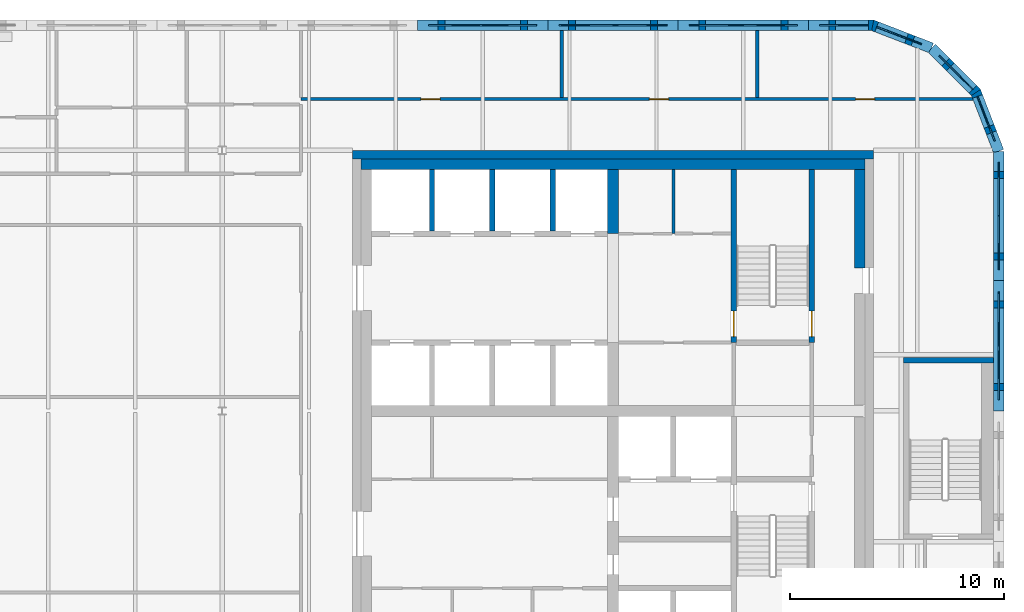
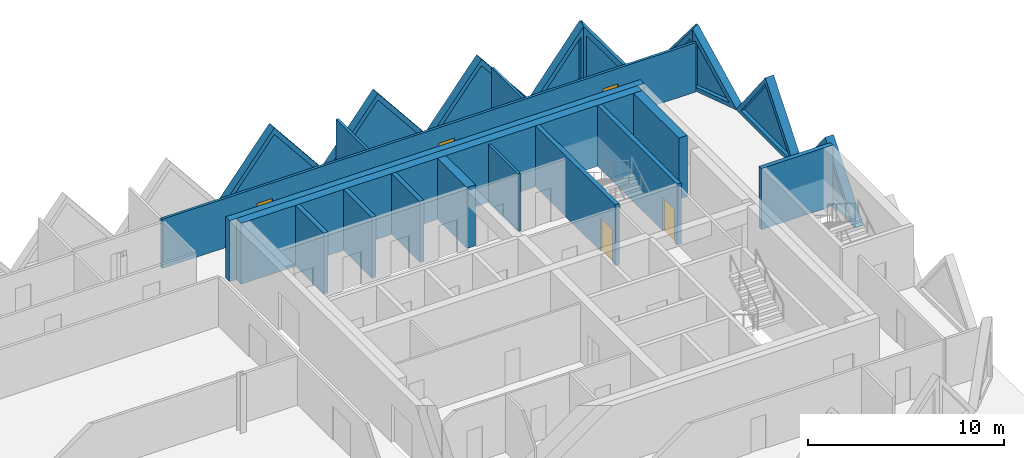
# One storey, part 9 of 12: 23 walls, 9 plates, 5 doors, 14 openings.
"""IFC4 building model written with IfcOpenShell, lengths in metres."""

from ifc_helpers import new_model, si_unit, direction, frame, frame_2d, origin, place, context, subcontext, project, spatial, polyline, rectangle, outline, extrude, faceted_brep, source, transform, mapped, material, layer, layer_set, type_object, element, fill, save


model = new_model("IFC4")

# Units and contexts
model_context = context("Model", 3, precision=1e-05, world=origin(), true_north=direction((0.0, 1.0)))
body_context = subcontext(model_context, "Body", "Model", "MODEL_VIEW")
ifc_project = project(units=[si_unit("LENGTHUNIT", "METRE"), si_unit("AREAUNIT", "SQUARE_METRE"), si_unit("VOLUMEUNIT", "CUBIC_METRE"), si_unit("PLANEANGLEUNIT", "RADIAN"), si_unit("MASSUNIT", "GRAM", prefix="KILO")], contexts=[model_context])

# Site, building, storey
site_placement = place(None, origin())
site = spatial("IfcSite", under=ifc_project, at=site_placement, CompositionType="ELEMENT")
building_placement = place(site_placement, origin())
building = spatial("IfcBuilding", under=site, at=building_placement, Name="Tessera Gate Towers", CompositionType="ELEMENT")
storey_placement = place(building_placement, frame((0.0, 0.0, 236.89990234375)))
storey = spatial("IfcBuildingStorey", under=building, at=storey_placement, Name="L59", CompositionType="ELEMENT", Elevation=236.89990234375)

# Wall, opening, door
ifc_material_1 = material(Name="Concrete C40/50", Category="concrete")
ifc_layer_1 = layer(ifc_material_1, 0.25)
ifc_layer_set_1 = layer_set([ifc_layer_1], Name="CORE ENCLOSURE WALL 250")
wall_type_1 = type_object("IfcWallType", Name="CORE ENCLOSURE WALL 250", PredefinedType="SOLIDWALL", material=ifc_layer_set_1)
wall_1_placement = place(storey_placement, frame((48.35009765625, 47.89990234375, 0.0), z_axis=(0.0, 0.0, 1.0), x_axis=(0.0, -1.0, 0.0)))
wall_1 = element("IfcWall", 1, at=wall_1_placement, inside=storey, type_object=wall_type_1, Name="L59 shaft and stair enclosure wall", PredefinedType="SOLIDWALL", context=body_context, shape_type="SweptSolid", body=[
    extrude(rectangle(XDim=8.099853515625, YDim=0.25, at=frame_2d((4.0498046875, 0.0))), origin(), (0.0, 0.0, 1.0), 3.800048828125),
])
shared_shape_1 = source(origin(), body_context, "Body", "SweptSolid", [
    extrude(rectangle(XDim=1.199951171875, YDim=2.10009765625, at=frame_2d((0.60009765625, 1.050048828125))), frame((0.0, 0.135009765625, 0.0), z_axis=(0.0, -1.0, 0.0), x_axis=(1.0, 0.0, 0.0)), (0.0, 0.0, 1.0), 0.27001953125),
])
opening_1_placement = place(wall_1_placement, frame((6.625, 0.0, 0.0)))
opening_1 = element("IfcOpeningElement", 2, at=opening_1_placement, cuts=wall_1, Name="Opening SD-ST2-1", PredefinedType="OPENING", context=body_context, shape_type="MappedRepresentation", body=[
    mapped(shared_shape_1, transform((0.0, 0.0, 0.0), scale=1.0)),
])
ifc_material_2 = material(Name="Hollow steel fire door", Category="steel")
door_type_1 = type_object("IfcDoorType", Name="CORE DOOR SD 1200x2100", OperationType="NOTDEFINED", PredefinedType="DOOR", material=ifc_material_2)
shared_shape_2 = source(origin(), body_context, "Body", "SweptSolid", [
    extrude(rectangle(XDim=1.199951171875, YDim=2.10009765625, at=frame_2d((0.60009765625, 1.050048828125))), frame((0.0, 0.02490234375, 0.0), z_axis=(0.0, -1.0, 0.0), x_axis=(1.0, 0.0, 0.0)), (0.0, 0.0, 1.0), 0.050048828125),
])
door_1_placement = place(opening_1_placement, origin())
door_1 = element("IfcDoor", 3, at=door_1_placement, inside=storey, type_object=door_type_1, Name="Stair door", OperationType="SINGLE_SWING_RIGHT", OverallHeight=2.10009765625, OverallWidth=1.199951171875, PredefinedType="DOOR", context=body_context, shape_type="MappedRepresentation", body=[
    mapped(shared_shape_2, transform((0.0, 0.0, 0.0), scale=1.0)),
])
fill(opening_1, door_1)

wall_2_placement = place(storey_placement, frame((52.0, 39.800048828125, 0.0), z_axis=(0.0, 0.0, 1.0), x_axis=(0.0, 1.0, 0.0)))
wall_2 = element("IfcWall", 4, at=wall_2_placement, inside=storey, type_object=wall_type_1, Name="L59 shaft and stair enclosure wall", PredefinedType="SOLIDWALL", context=body_context, shape_type="SweptSolid", body=[
    extrude(rectangle(XDim=8.099853515625, YDim=0.25, at=frame_2d((4.0498046875, 0.0))), origin(), (0.0, 0.0, 1.0), 3.800048828125),
])
opening_2_placement = place(wall_2_placement, frame((0.27490234375, 0.0, 0.0)))
opening_2 = element("IfcOpeningElement", 5, at=opening_2_placement, cuts=wall_2, Name="Opening SD-ST2-2", PredefinedType="OPENING", context=body_context, shape_type="MappedRepresentation", body=[
    mapped(shared_shape_1, transform((0.0, 0.0, 0.0), scale=1.0)),
])
door_2_placement = place(opening_2_placement, origin())
door_2 = element("IfcDoor", 6, at=door_2_placement, inside=storey, type_object=door_type_1, Name="Stair door", OperationType="SINGLE_SWING_LEFT", OverallHeight=2.10009765625, OverallWidth=1.199951171875, PredefinedType="DOOR", context=body_context, shape_type="MappedRepresentation", body=[
    mapped(shared_shape_2, transform((0.0, 0.0, 0.0), scale=1.0)),
])
fill(opening_2, door_2)

# Walls
for number, where, z_axis, x_axis, name in (
    (7, (34.22509765625, 45.02490234375, 0.0), (0.0, 0.0, 1.0), (0.0, 1.0, 0.0), "L59 shaft and stair enclosure wall"),
    (8, (37.050048828125, 45.02490234375, 0.0), (0.0, 0.0, 1.0), (0.0, 1.0, 0.0), "L59 shaft and stair enclosure wall"),
    (9, (39.875, 45.02490234375, 0.0), (0.0, 0.0, 1.0), (0.0, 1.0, 0.0), "L59 shaft and stair enclosure wall"),
):
    element("IfcWall", number, at=place(storey_placement, frame(where, z_axis=z_axis, x_axis=x_axis)), inside=storey, type_object=wall_type_1, Name=name, PredefinedType="SOLIDWALL", context=body_context, shape_type="SweptSolid", body=[
        extrude(rectangle(XDim=2.875, YDim=0.25, at=frame_2d((1.4375, 0.0))), origin(), (0.0, 0.0, 1.0), 3.800048828125),
    ])
wall_3_placement = place(storey_placement, frame((56.300048828125, 38.97509765625, 0.0), z_axis=(0.0, 0.0, 1.0), x_axis=(1.0, 0.0, 0.0)))
element("IfcWall", 10, at=wall_3_placement, inside=storey, type_object=wall_type_1, Name="L59 ST5 enclosure wall", PredefinedType="SOLIDWALL", context=body_context, shape_type="SweptSolid", body=[
    extrude(rectangle(XDim=4.199951171875, YDim=0.25, at=frame_2d((2.10009765625, 0.0))), origin(), (0.0, 0.0, 1.0), 3.800048828125),
])
ifc_material_3 = material(Name="Concrete C40/50", Category="concrete")
ifc_layer_2 = layer(ifc_material_3, 0.39990234375)
ifc_layer_set_2 = layer_set([ifc_layer_2], Name="CORE SHEAR WALL 400 C40/50")
wall_type_2 = type_object("IfcWallType", Name="CORE SHEAR WALL 400 C40/50", PredefinedType="SHEAR", material=ifc_layer_set_2)
wall_4_placement = place(storey_placement, frame((30.5, 48.60009765625, 0.0), z_axis=(0.0, 0.0, 1.0), x_axis=(1.0, 0.0, 0.0)))
element("IfcWall", 11, at=wall_4_placement, inside=storey, type_object=wall_type_2, Name="Core wall N L59", PredefinedType="SHEAR", context=body_context, shape_type="SweptSolid", body=[
    extrude(rectangle(XDim=24.39990234375, YDim=0.39990234375, at=frame_2d((12.199951171875, 0.0))), origin(), (0.0, 0.0, 1.0), 3.800048828125),
])
ifc_material_4 = material(Name="Concrete C40/50", Category="concrete")
ifc_layer_3 = layer(ifc_material_4, 0.5)
ifc_layer_set_3 = layer_set([ifc_layer_3], Name="CORE SPINE WALL 500 C40/50")
wall_type_3 = type_object("IfcWallType", Name="CORE SPINE WALL 500 C40/50", PredefinedType="SHEAR", material=ifc_layer_set_3)
wall_5_placement = place(storey_placement, frame((42.699951171875, 44.89990234375, 0.0), z_axis=(0.0, 0.0, 1.0), x_axis=(0.0, 1.0, 0.0)))
element("IfcWall", 12, at=wall_5_placement, inside=storey, type_object=wall_type_3, Name="Core wall spine L59", PredefinedType="SHEAR", context=body_context, shape_type="SweptSolid", body=[
    extrude(rectangle(XDim=3.0, YDim=0.5, at=frame_2d((1.5, 0.0))), origin(), (0.0, 0.0, 1.0), 3.800048828125),
])
ifc_material_5 = material(Name="Concrete C40/50", Category="concrete")
ifc_layer_4 = layer(ifc_material_5, 0.5)
ifc_layer_set_4 = layer_set([ifc_layer_4], Name="CORE WALL THICKENING 500")
wall_type_4 = type_object("IfcWallType", Name="CORE WALL THICKENING 500", PredefinedType="SOLIDWALL", material=ifc_layer_set_4)
wall_6_placement = place(storey_placement, frame((30.89990234375, 48.14990234375, 0.0), z_axis=(0.0, 0.0, 1.0), x_axis=(1.0, 0.0, 0.0)))
element("IfcWall", 13, at=wall_6_placement, inside=storey, type_object=wall_type_4, Name="Core wall thickening N L59", PredefinedType="SOLIDWALL", context=body_context, shape_type="SweptSolid", body=[
    extrude(rectangle(XDim=23.60009765625, YDim=0.5, at=frame_2d((11.800048828125, 0.0))), origin(), (0.0, 0.0, 1.0), 3.800048828125),
])
wall_7_placement = place(storey_placement, frame((54.25, 43.300048828125, 0.0), z_axis=(0.0, 0.0, 1.0), x_axis=(0.0, 1.0, 0.0)))
element("IfcWall", 14, at=wall_7_placement, inside=storey, type_object=wall_type_4, Name="Core wall thickening E L59", PredefinedType="SOLIDWALL", context=body_context, shape_type="SweptSolid", body=[
    extrude(rectangle(XDim=4.599853515625, YDim=0.5, at=frame_2d((2.2998046875, 0.0))), origin(), (0.0, 0.0, 1.0), 3.800048828125),
])

# Wall, openings, doors
ifc_material_6 = material(Name="Gypsum board on steel studs, mineral wool", Category="steel")
ifc_layer_5 = layer(ifc_material_6, 0.14990234375)
ifc_layer_set_5 = layer_set([ifc_layer_5], Name="CORRIDOR WALL 150")
wall_type_5 = type_object("IfcWallType", Name="CORRIDOR WALL 150", PredefinedType="PARTITIONING", material=ifc_layer_set_5)
wall_8_placement = place(storey_placement, frame((28.10009765625, 51.199951171875, 0.0), z_axis=(0.0, 0.0, 1.0), x_axis=(1.0, 0.0, 0.0)))
wall_8 = element("IfcWall", 15, at=wall_8_placement, inside=storey, type_object=wall_type_5, Name="T1-L59-PW-031", PredefinedType="PARTITIONING", context=body_context, shape_type="SweptSolid", body=[
    extrude(rectangle(XDim=31.438232421875, YDim=0.14990234375, at=frame_2d((15.71923828125, 0.0))), origin(), (0.0, 0.0, 1.0), 3.067138671875),
])
shared_shape_3 = source(origin(), body_context, "Body", "SweptSolid", [
    extrude(rectangle(XDim=0.89990234375, YDim=2.10009765625, at=frame_2d((0.449951171875, 1.050048828125))), frame((0.0, 0.0849609375, 0.0), z_axis=(0.0, -1.0, 0.0), x_axis=(1.0, 0.0, 0.0)), (0.0, 0.0, 1.0), 0.169921875),
])
opening_3_placement = place(wall_8_placement, frame((16.301025390625, 0.0, 0.0)))
opening_3 = element("IfcOpeningElement", 16, at=opening_3_placement, cuts=wall_8, Name="Opening D890FD60-A36-03", PredefinedType="OPENING", context=body_context, shape_type="MappedRepresentation", body=[
    mapped(shared_shape_3, transform((0.0, 0.0, 0.0), scale=1.0)),
])
opening_4_placement = place(wall_8_placement, frame((25.949951171875, 0.0, 0.0)))
opening_4 = element("IfcOpeningElement", 17, at=opening_4_placement, cuts=wall_8, Name="Opening D890FD60-A36-04", PredefinedType="OPENING", context=body_context, shape_type="MappedRepresentation", body=[
    mapped(shared_shape_3, transform((0.0, 0.0, 0.0), scale=1.0)),
])
opening_5_placement = place(wall_8_placement, frame((5.60009765625, 0.0, 0.0)))
opening_5 = element("IfcOpeningElement", 18, at=opening_5_placement, cuts=wall_8, Name="Opening D890FD60-A36-06", PredefinedType="OPENING", context=body_context, shape_type="MappedRepresentation", body=[
    mapped(shared_shape_3, transform((0.0, 0.0, 0.0), scale=1.0)),
])
ifc_material_7 = material(Name="Timber door leaf in steel frame", Category="steel")
door_type_2 = type_object("IfcDoorType", Name="CORRIDOR DOOR 900 FD60", OperationType="NOTDEFINED", PredefinedType="DOOR", material=ifc_material_7)
shared_shape_4 = source(origin(), body_context, "Body", "SweptSolid", [
    extrude(rectangle(XDim=0.89990234375, YDim=2.10009765625, at=frame_2d((0.449951171875, 1.050048828125))), frame((0.0, 0.02490234375, 0.0), z_axis=(0.0, -1.0, 0.0), x_axis=(1.0, 0.0, 0.0)), (0.0, 0.0, 1.0), 0.050048828125),
])
door_3_placement = place(opening_3_placement, origin())
door_3 = element("IfcDoor", 19, at=door_3_placement, inside=storey, type_object=door_type_2, Name="T1-L59-PD-014", OperationType="SINGLE_SWING_LEFT", OverallHeight=2.10009765625, OverallWidth=0.89990234375, PredefinedType="DOOR", context=body_context, shape_type="MappedRepresentation", body=[
    mapped(shared_shape_4, transform((0.0, 0.0, 0.0), scale=1.0)),
])
fill(opening_3, door_3)
door_4_placement = place(opening_4_placement, origin())
door_4 = element("IfcDoor", 20, at=door_4_placement, inside=storey, type_object=door_type_2, Name="T1-L59-PD-018", OperationType="SINGLE_SWING_LEFT", OverallHeight=2.10009765625, OverallWidth=0.89990234375, PredefinedType="DOOR", context=body_context, shape_type="MappedRepresentation", body=[
    mapped(shared_shape_4, transform((0.0, 0.0, 0.0), scale=1.0)),
])
fill(opening_4, door_4)
door_5_placement = place(opening_5_placement, origin())
door_5 = element("IfcDoor", 21, at=door_5_placement, inside=storey, type_object=door_type_2, Name="T1-L59-PD-020", OperationType="SINGLE_SWING_LEFT", OverallHeight=2.10009765625, OverallWidth=0.89990234375, PredefinedType="DOOR", context=body_context, shape_type="MappedRepresentation", body=[
    mapped(shared_shape_4, transform((0.0, 0.0, 0.0), scale=1.0)),
])
fill(opening_5, door_5)

# Walls
ifc_material_8 = material(Name="Gypsum board on steel studs", Category="steel")
ifc_layer_6 = layer(ifc_material_8, 0.14990234375)
ifc_layer_set_6 = layer_set([ifc_layer_6], Name="SERVICE ROOM WALL 150")
wall_type_6 = type_object("IfcWallType", Name="SERVICE ROOM WALL 150", PredefinedType="PARTITIONING", material=ifc_layer_set_6)
wall_9_placement = place(storey_placement, frame((45.52490234375, 44.89990234375, 0.0), z_axis=(0.0, 0.0, 1.0), x_axis=(0.0, 1.0, 0.0)))
element("IfcWall", 22, at=wall_9_placement, inside=storey, type_object=wall_type_6, Name="L59 service room wall", PredefinedType="PARTITIONING", context=body_context, shape_type="SweptSolid", body=[
    extrude(rectangle(XDim=3.0, YDim=0.14990234375, at=frame_2d((1.5, 0.0))), origin(), (0.0, 0.0, 1.0), 3.60009765625),
])
ifc_material_9 = material(Name="Gypsum board on steel studs, mineral wool", Category="steel")
ifc_layer_7 = layer(ifc_material_9, 0.14990234375)
ifc_layer_set_7 = layer_set([ifc_layer_7], Name="TENANCY WALL 150")
wall_type_7 = type_object("IfcWallType", Name="TENANCY WALL 150", PredefinedType="PARTITIONING", material=ifc_layer_set_7)
for number, where, z_axis, x_axis, name in (
    (23, (40.300048828125, 51.27587890625, 0.0), (0.0, 0.0, 1.0), (0.0, 1.0, 0.0), "T1-L59-PW-033"),
    (24, (49.449951171875, 51.27587890625, 0.0), (0.0, 0.0, 1.0), (0.0, 1.0, 0.0), "T1-L59-PW-034"),
):
    element("IfcWall", number, at=place(storey_placement, frame(where, z_axis=z_axis, x_axis=x_axis)), inside=storey, type_object=wall_type_7, Name=name, PredefinedType="PARTITIONING", context=body_context, shape_type="SweptSolid", body=[
        extrude(rectangle(XDim=3.1240234375, YDim=0.14990234375, at=frame_2d((1.56201171875, 0.0))), origin(), (0.0, 0.0, 1.0), 3.067138671875),
    ])

# Wall, opening, plate
ifc_material_10 = material(Name="Precast concrete C60/75 white", Category="concrete")
ifc_layer_8 = layer(ifc_material_10, 0.5)
ifc_layer_set_8 = layer_set([ifc_layer_8], Name="TS3 corner tessera")
wall_type_8 = type_object("IfcWallType", Name="TS3 corner tessera", PredefinedType="SOLIDWALL", material=ifc_layer_set_8)
shared_shape_5 = source(origin(), body_context, "Body", "Brep", [
    faceted_brep([(3.050048828125, -0.25, 0.0), (0.046630859375, -0.25, 3.800048828125), (0.0, -0.25, 3.739990234375), (0.0, -0.25, 0.0), (0.09326171875, 0.25, 3.7412109375), (3.050048828125, 0.25, 0.0), (0.09326171875, 0.25, 0.0), (0.046630859375, 0.0, 3.800048828125)], [[[0, 1, 2, 3]], [[4, 5, 6]], [[5, 4, 7, 1, 0]], [[2, 1, 7]], [[6, 5, 0, 3]], [[6, 3, 2, 7, 4]]]),
])
wall_10_placement = place(storey_placement, frame((54.900146484375, 54.64990234375, 0.0), z_axis=(0.0, 0.0, 1.0), x_axis=(-1.0, 0.0, 0.0)))
wall_10 = element("IfcWall", 25, at=wall_10_placement, inside=storey, type_object=wall_type_8, Name="Precast corner tessera T1 TS3-1378", PredefinedType="SOLIDWALL", context=body_context, shape_type="MappedRepresentation", body=[
    mapped(shared_shape_5, transform((0.0, 0.0, 0.0), scale=1.0)),
])
shared_shape_6 = source(origin(), body_context, "Body", "SweptSolid", [
    extrude(outline(polyline([(2.533935546875, 0.25), (0.24658203125, 3.143798828125), (0.24658203125, 0.25), (2.533935546875, 0.25)])), frame((0.0, 0.260009765625, 0.0), z_axis=(0.0, -1.0, 0.0), x_axis=(1.0, 0.0, 0.0)), (0.0, 0.0, 1.0), 0.52001953125),
])
opening_6_placement = place(wall_10_placement, origin())
opening_6 = element("IfcOpeningElement", 26, at=opening_6_placement, cuts=wall_10, Name="Opening T1-PL1-0590", PredefinedType="OPENING", context=body_context, shape_type="MappedRepresentation", body=[
    mapped(shared_shape_6, transform((0.0, 0.0, 0.0), scale=1.0)),
])
ifc_material_11 = material(Name="Low-e laminated glass", Category="glass")
ifc_layer_9 = layer(ifc_material_11, 0.06005859375)
ifc_layer_set_9 = layer_set([ifc_layer_9], Name="PL1 triangular pane")
plate_type = type_object("IfcPlateType", Name="PL1 triangular pane", PredefinedType="SHEET", material=ifc_layer_set_9)
shared_shape_7 = source(origin(), body_context, "Body", "SweptSolid", [
    extrude(outline(polyline([(2.533935546875, 0.25), (0.24658203125, 3.143798828125), (0.24658203125, 0.25), (2.533935546875, 0.25)])), frame((0.0, 0.030029296875, 0.0), z_axis=(0.0, -1.0, 0.0), x_axis=(1.0, 0.0, 0.0)), (0.0, 0.0, 1.0), 0.06005859375),
])
plate_1_placement = place(opening_6_placement, origin())
plate_1 = element("IfcPlate", 27, at=plate_1_placement, inside=storey, type_object=plate_type, Name="Glass pane T1 PL1-0590", PredefinedType="SHEET", context=body_context, shape_type="MappedRepresentation", body=[
    mapped(shared_shape_7, transform((0.0, 0.0, 0.0), scale=1.0)),
])
fill(opening_6, plate_1)

ifc_material_12 = material(Name="Precast concrete C60/75 white", Category="concrete")
ifc_layer_10 = layer(ifc_material_12, 0.5)
ifc_layer_set_10 = layer_set([ifc_layer_10], Name="TS2 half tessera")
wall_type_9 = type_object("IfcWallType", Name="TS2 half tessera", PredefinedType="SOLIDWALL", material=ifc_layer_set_10)
shared_shape_8 = source(origin(), body_context, "Body", "Brep", [
    faceted_brep([(6.099853515625, -0.25, 0.000244140625), (3.050048828125, -0.25, 3.800048828125), (0.0, -0.25, 0.0), (6.099853515625, -0.25, 0.0), (0.0, 0.25, 0.0), (3.050048828125, 0.25, 3.800048828125), (6.099853515625, 0.25, 0.000244140625), (6.099853515625, 0.25, 0.0)], [[[0, 1, 2, 3]], [[4, 5, 6, 7]], [[6, 5, 1, 0]], [[5, 4, 2, 1]], [[4, 7, 3, 2]], [[3, 7, 6, 0]]]),
])
wall_11_placement = place(storey_placement, frame((60.75, 36.60009765625, 0.0), z_axis=(0.0, 0.0, 1.0), x_axis=(0.0, 1.0, 0.0)))
wall_11 = element("IfcWall", 28, at=wall_11_placement, inside=storey, type_object=wall_type_9, Name="Precast half tessera T1 TS2-0285", PredefinedType="SOLIDWALL", context=body_context, shape_type="MappedRepresentation", body=[
    mapped(shared_shape_8, transform((0.0, 0.0, 0.0), scale=1.0)),
])
shared_shape_9 = source(origin(), body_context, "Body", "SweptSolid", [
    extrude(outline(polyline([(5.578857421875, 0.25), (3.050048828125, 3.400634765625), (0.521240234375, 0.25), (5.578857421875, 0.25)])), frame((0.0, 0.260009765625, 0.0), z_axis=(0.0, -1.0, 0.0), x_axis=(1.0, 0.0, 0.0)), (0.0, 0.0, 1.0), 0.52001953125),
])
opening_7_placement = place(wall_11_placement, origin())
opening_7 = element("IfcOpeningElement", 29, at=opening_7_placement, cuts=wall_11, Name="Opening T1-PL1-0585", PredefinedType="OPENING", context=body_context, shape_type="MappedRepresentation", body=[
    mapped(shared_shape_9, transform((0.0, 0.0, 0.0), scale=1.0)),
])
shared_shape_10 = source(origin(), body_context, "Body", "SweptSolid", [
    extrude(outline(polyline([(5.578857421875, 0.25), (3.050048828125, 3.400634765625), (0.521240234375, 0.25), (5.578857421875, 0.25)])), frame((0.0, 0.030029296875, 0.0), z_axis=(0.0, -1.0, 0.0), x_axis=(1.0, 0.0, 0.0)), (0.0, 0.0, 1.0), 0.06005859375),
])
plate_2_placement = place(opening_7_placement, origin())
plate_2 = element("IfcPlate", 30, at=plate_2_placement, inside=storey, type_object=plate_type, Name="Glass pane T1 PL1-0585", PredefinedType="SHEET", context=body_context, shape_type="MappedRepresentation", body=[
    mapped(shared_shape_10, transform((0.0, 0.0, 0.0), scale=1.0)),
])
fill(opening_7, plate_2)

wall_12_placement = place(storey_placement, frame((39.64990234375, 54.64990234375, 0.0), z_axis=(0.0, 0.0, 1.0), x_axis=(-1.0, 0.0, 0.0)))
wall_12 = element("IfcWall", 31, at=wall_12_placement, inside=storey, type_object=wall_type_9, Name="Precast half tessera T1 TS2-0289", PredefinedType="SOLIDWALL", context=body_context, shape_type="MappedRepresentation", body=[
    mapped(shared_shape_8, transform((0.0, 0.0, 0.0), scale=1.0)),
])
opening_8_placement = place(wall_12_placement, origin())
opening_8 = element("IfcOpeningElement", 32, at=opening_8_placement, cuts=wall_12, Name="Opening T1-PL1-0593", PredefinedType="OPENING", context=body_context, shape_type="MappedRepresentation", body=[
    mapped(shared_shape_9, transform((0.0, 0.0, 0.0), scale=1.0)),
])
plate_3_placement = place(opening_8_placement, origin())
plate_3 = element("IfcPlate", 33, at=plate_3_placement, inside=storey, type_object=plate_type, Name="Glass pane T1 PL1-0593", PredefinedType="SHEET", context=body_context, shape_type="MappedRepresentation", body=[
    mapped(shared_shape_10, transform((0.0, 0.0, 0.0), scale=1.0)),
])
fill(opening_8, plate_3)

shared_shape_11 = source(origin(), body_context, "Body", "SweptSolid", [
    extrude(outline(polyline([(6.10009765625, 0.0), (3.050048828125, 3.800048828125), (0.0, 0.0), (6.10009765625, 0.0)])), frame((0.0, 0.25, 0.0), z_axis=(0.0, -1.0, 0.0), x_axis=(1.0, 0.0, 0.0)), (0.0, 0.0, 1.0), 0.5),
])
wall_13_placement = place(storey_placement, frame((51.85009765625, 54.64990234375, 0.0), z_axis=(0.0, 0.0, 1.0), x_axis=(-1.0, 0.0, 0.0)))
wall_13 = element("IfcWall", 34, at=wall_13_placement, inside=storey, type_object=wall_type_9, Name="Precast half tessera T1 TS2-0287", PredefinedType="SOLIDWALL", context=body_context, shape_type="MappedRepresentation", body=[
    mapped(shared_shape_11, transform((0.0, 0.0, 0.0), scale=1.0)),
])
opening_9_placement = place(wall_13_placement, origin())
opening_9 = element("IfcOpeningElement", 35, at=opening_9_placement, cuts=wall_13, Name="Opening T1-PL1-0591", PredefinedType="OPENING", context=body_context, shape_type="MappedRepresentation", body=[
    mapped(shared_shape_9, transform((0.0, 0.0, 0.0), scale=1.0)),
])
plate_4_placement = place(opening_9_placement, origin())
plate_4 = element("IfcPlate", 36, at=plate_4_placement, inside=storey, type_object=plate_type, Name="Glass pane T1 PL1-0591", PredefinedType="SHEET", context=body_context, shape_type="MappedRepresentation", body=[
    mapped(shared_shape_10, transform((0.0, 0.0, 0.0), scale=1.0)),
])
fill(opening_9, plate_4)

wall_14_placement = place(storey_placement, frame((45.75, 54.64990234375, 0.0), z_axis=(0.0, 0.0, 1.0), x_axis=(-1.0, 0.0, 0.0)))
wall_14 = element("IfcWall", 37, at=wall_14_placement, inside=storey, type_object=wall_type_9, Name="Precast half tessera T1 TS2-0288", PredefinedType="SOLIDWALL", context=body_context, shape_type="MappedRepresentation", body=[
    mapped(shared_shape_11, transform((0.0, 0.0, 0.0), scale=1.0)),
])
opening_10_placement = place(wall_14_placement, origin())
opening_10 = element("IfcOpeningElement", 38, at=opening_10_placement, cuts=wall_14, Name="Opening T1-PL1-0592", PredefinedType="OPENING", context=body_context, shape_type="MappedRepresentation", body=[
    mapped(shared_shape_9, transform((0.0, 0.0, 0.0), scale=1.0)),
])
plate_5_placement = place(opening_10_placement, origin())
plate_5 = element("IfcPlate", 39, at=plate_5_placement, inside=storey, type_object=plate_type, Name="Glass pane T1 PL1-0592", PredefinedType="SHEET", context=body_context, shape_type="MappedRepresentation", body=[
    mapped(shared_shape_10, transform((0.0, 0.0, 0.0), scale=1.0)),
])
fill(opening_10, plate_5)

shared_shape_12 = source(origin(), body_context, "Body", "Brep", [
    faceted_brep([(6.053466796875, -0.25, 0.0), (3.050048828125, -0.25, 3.800048828125), (0.0, -0.25, 0.0), (0.0, 0.25, 0.0), (3.050048828125, 0.25, 3.800048828125), (6.0068359375, 0.25, 0.058837890625), (6.0068359375, 0.25, 0.0), (6.053466796875, 0.0, 0.0)], [[[0, 1, 2]], [[3, 4, 5, 6]], [[5, 4, 1, 0, 7]], [[4, 3, 2, 1]], [[3, 6, 7, 0, 2]], [[7, 6, 5]]]),
])
wall_15_placement = place(storey_placement, frame((60.75, 42.699951171875, 0.0), z_axis=(0.0, 0.0, 1.0), x_axis=(0.0, 1.0, 0.0)))
wall_15 = element("IfcWall", 40, at=wall_15_placement, inside=storey, type_object=wall_type_9, Name="Precast half tessera T1 TS2-0286", PredefinedType="SOLIDWALL", context=body_context, shape_type="MappedRepresentation", body=[
    mapped(shared_shape_12, transform((0.0, 0.0, 0.0), scale=1.0)),
])
shared_shape_13 = source(origin(), body_context, "Body", "SweptSolid", [
    extrude(outline(polyline([(5.537109375, 0.25), (3.048583984375, 3.39892578125), (0.521240234375, 0.25), (5.537109375, 0.25)])), frame((0.0, 0.260009765625, 0.0), z_axis=(0.0, -1.0, 0.0), x_axis=(1.0, 0.0, 0.0)), (0.0, 0.0, 1.0), 0.52001953125),
])
opening_11_placement = place(wall_15_placement, origin())
opening_11 = element("IfcOpeningElement", 41, at=opening_11_placement, cuts=wall_15, Name="Opening T1-PL1-0586", PredefinedType="OPENING", context=body_context, shape_type="MappedRepresentation", body=[
    mapped(shared_shape_13, transform((0.0, 0.0, 0.0), scale=1.0)),
])
shared_shape_14 = source(origin(), body_context, "Body", "SweptSolid", [
    extrude(outline(polyline([(5.537109375, 0.25), (3.048583984375, 3.39892578125), (0.521240234375, 0.25), (5.537109375, 0.25)])), frame((0.0, 0.030029296875, 0.0), z_axis=(0.0, -1.0, 0.0), x_axis=(1.0, 0.0, 0.0)), (0.0, 0.0, 1.0), 0.06005859375),
])
plate_6_placement = place(opening_11_placement, origin())
plate_6 = element("IfcPlate", 42, at=plate_6_placement, inside=storey, type_object=plate_type, Name="Glass pane T1 PL1-0586", PredefinedType="SHEET", context=body_context, shape_type="MappedRepresentation", body=[
    mapped(shared_shape_14, transform((0.0, 0.0, 0.0), scale=1.0)),
])
fill(opening_11, plate_6)

shared_shape_15 = source(origin(), body_context, "Body", "Brep", [
    faceted_brep([(3.00341796875, -0.25, 3.731689453125), (2.950439453125, -0.25, 3.800048828125), (0.0, -0.25, 0.0), (3.00341796875, -0.25, 0.0), (0.046630859375, 0.25, 0.06005859375), (2.897705078125, 0.25, 3.73193359375), (2.897705078125, 0.25, 0.0), (0.046630859375, 0.25, 0.0), (2.950439453125, 0.00048828125, 3.800048828125), (0.0, 0.0, 0.0)], [[[0, 1, 2, 3]], [[4, 5, 6, 7]], [[8, 1, 0]], [[5, 4, 9, 2, 1, 8]], [[7, 6, 3, 2, 9]], [[7, 9, 4]], [[3, 6, 5, 8, 0]]]),
])
wall_16_placement = place(storey_placement, frame((60.75, 48.75341796875, 0.0), z_axis=(0.0, 0.0, 1.0), x_axis=(-0.35992665181, 0.932980602862, 0.0)))
wall_16 = element("IfcWall", 43, at=wall_16_placement, inside=storey, type_object=wall_type_8, Name="Precast corner tessera T1 TS3-1375", PredefinedType="SOLIDWALL", context=body_context, shape_type="MappedRepresentation", body=[
    mapped(shared_shape_15, transform((0.0, 0.0, 0.0), scale=1.0)),
])
shared_shape_16 = source(origin(), body_context, "Body", "SweptSolid", [
    extrude(outline(polyline([(2.75048828125, 3.134765625), (0.5107421875, 0.25), (2.75048828125, 0.25), (2.75048828125, 3.134765625)])), frame((0.0, 0.260009765625, 0.0), z_axis=(0.0, -1.0, 0.0), x_axis=(1.0, 0.0, 0.0)), (0.0, 0.0, 1.0), 0.52001953125),
])
opening_12_placement = place(wall_16_placement, origin())
opening_12 = element("IfcOpeningElement", 44, at=opening_12_placement, cuts=wall_16, Name="Opening T1-PL1-0587", PredefinedType="OPENING", context=body_context, shape_type="MappedRepresentation", body=[
    mapped(shared_shape_16, transform((0.0, 0.0, 0.0), scale=1.0)),
])
shared_shape_17 = source(origin(), body_context, "Body", "SweptSolid", [
    extrude(outline(polyline([(2.75048828125, 3.134765625), (0.5107421875, 0.25), (2.75048828125, 0.25), (2.75048828125, 3.134765625)])), frame((0.0, 0.030029296875, 0.0), z_axis=(0.0, -1.0, 0.0), x_axis=(1.0, 0.0, 0.0)), (0.0, 0.0, 1.0), 0.06005859375),
])
plate_7_placement = place(opening_12_placement, origin())
plate_7 = element("IfcPlate", 45, at=plate_7_placement, inside=storey, type_object=plate_type, Name="Glass pane T1 PL1-0587", PredefinedType="SHEET", context=body_context, shape_type="MappedRepresentation", body=[
    mapped(shared_shape_17, transform((0.0, 0.0, 0.0), scale=1.0)),
])
fill(opening_12, plate_7)

shared_shape_18 = source(origin(), body_context, "Body", "Brep", [
    faceted_brep([(2.9970703125, -0.25, 0.0), (0.052978515625, -0.25, 3.800048828125), (0.0, -0.25, 3.73193359375), (0.0, -0.25, 0.0), (0.10595703125, 0.25, 3.731689453125), (2.944091796875, 0.25, 0.068115234375), (2.944091796875, 0.25, 0.0), (0.10595703125, 0.25, 0.0), (0.052978515625, 0.0, 3.800048828125), (2.9970703125, 0.000244140625, 0.0)], [[[0, 1, 2, 3]], [[4, 5, 6, 7]], [[5, 4, 8, 1, 0, 9]], [[2, 1, 8]], [[7, 6, 9, 0, 3]], [[7, 3, 2, 8, 4]], [[9, 6, 5]]]),
])
wall_17_placement = place(storey_placement, frame((59.7255859375, 51.46875, 0.0), z_axis=(0.0, 0.0, 1.0), x_axis=(-0.707106781187, 0.707106781187, 0.0)))
wall_17 = element("IfcWall", 46, at=wall_17_placement, inside=storey, type_object=wall_type_8, Name="Precast corner tessera T1 TS3-1376", PredefinedType="SOLIDWALL", context=body_context, shape_type="MappedRepresentation", body=[
    mapped(shared_shape_18, transform((0.0, 0.0, 0.0), scale=1.0)),
])
shared_shape_19 = source(origin(), body_context, "Body", "SweptSolid", [
    extrude(outline(polyline([(2.487060546875, 0.25), (0.2529296875, 3.1337890625), (0.2529296875, 0.25), (2.487060546875, 0.25)])), frame((0.0, 0.260009765625, 0.0), z_axis=(0.0, -1.0, 0.0), x_axis=(1.0, 0.0, 0.0)), (0.0, 0.0, 1.0), 0.52001953125),
])
opening_13_placement = place(wall_17_placement, origin())
opening_13 = element("IfcOpeningElement", 47, at=opening_13_placement, cuts=wall_17, Name="Opening T1-PL1-0588", PredefinedType="OPENING", context=body_context, shape_type="MappedRepresentation", body=[
    mapped(shared_shape_19, transform((0.0, 0.0, 0.0), scale=1.0)),
])
shared_shape_20 = source(origin(), body_context, "Body", "SweptSolid", [
    extrude(outline(polyline([(2.487060546875, 0.25), (0.2529296875, 3.1337890625), (0.2529296875, 0.25), (2.487060546875, 0.25)])), frame((0.0, 0.030029296875, 0.0), z_axis=(0.0, -1.0, 0.0), x_axis=(1.0, 0.0, 0.0)), (0.0, 0.0, 1.0), 0.06005859375),
])
plate_8_placement = place(opening_13_placement, origin())
plate_8 = element("IfcPlate", 48, at=plate_8_placement, inside=storey, type_object=plate_type, Name="Glass pane T1 PL1-0588", PredefinedType="SHEET", context=body_context, shape_type="MappedRepresentation", body=[
    mapped(shared_shape_20, transform((0.0, 0.0, 0.0), scale=1.0)),
])
fill(opening_13, plate_8)

shared_shape_21 = source(origin(), body_context, "Body", "Brep", [
    faceted_brep([(2.9970703125, -0.25, 3.740966796875), (2.950439453125, -0.25, 3.800048828125), (0.0, -0.25, 0.0), (2.9970703125, -0.25, 0.0), (0.052978515625, 0.25, 0.068115234375), (2.904052734375, 0.25, 3.740234375), (2.904052734375, 0.25, 0.0), (0.052978515625, 0.25, 0.0), (2.950439453125, 0.00048828125, 3.800048828125), (0.0, 0.0, 0.0)], [[[0, 1, 2, 3]], [[4, 5, 6, 7]], [[8, 1, 0]], [[5, 4, 9, 2, 1, 8]], [[7, 6, 3, 2, 9]], [[7, 9, 4]], [[3, 6, 5, 8, 0]]]),
])
wall_18_placement = place(storey_placement, frame((57.606201171875, 53.588134765625, 0.0), z_axis=(0.0, 0.0, 1.0), x_axis=(-0.932990326376, 0.359901446078, 0.0)))
wall_18 = element("IfcWall", 49, at=wall_18_placement, inside=storey, type_object=wall_type_8, Name="Precast corner tessera T1 TS3-1377", PredefinedType="SOLIDWALL", context=body_context, shape_type="MappedRepresentation", body=[
    mapped(shared_shape_21, transform((0.0, 0.0, 0.0), scale=1.0)),
])
opening_14_placement = place(wall_18_placement, origin())
opening_14 = element("IfcOpeningElement", 50, at=opening_14_placement, cuts=wall_18, Name="Opening T1-PL1-0589", PredefinedType="OPENING", context=body_context, shape_type="MappedRepresentation", body=[
    mapped(shared_shape_16, transform((0.0, 0.0, 0.0), scale=1.0)),
])
plate_9_placement = place(opening_14_placement, origin())
plate_9 = element("IfcPlate", 51, at=plate_9_placement, inside=storey, type_object=plate_type, Name="Glass pane T1 PL1-0589", PredefinedType="SHEET", context=body_context, shape_type="MappedRepresentation", body=[
    mapped(shared_shape_17, transform((0.0, 0.0, 0.0), scale=1.0)),
])
fill(opening_14, plate_9)

save(model, "model.ifc")
